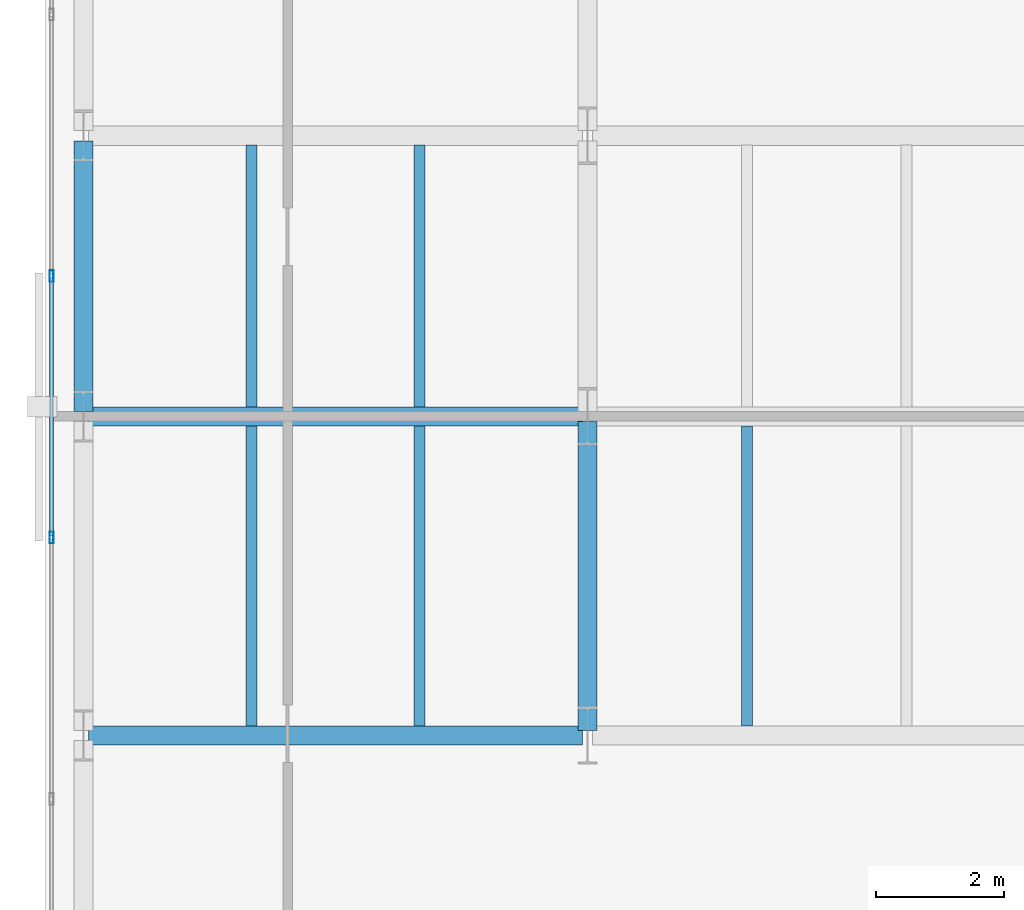
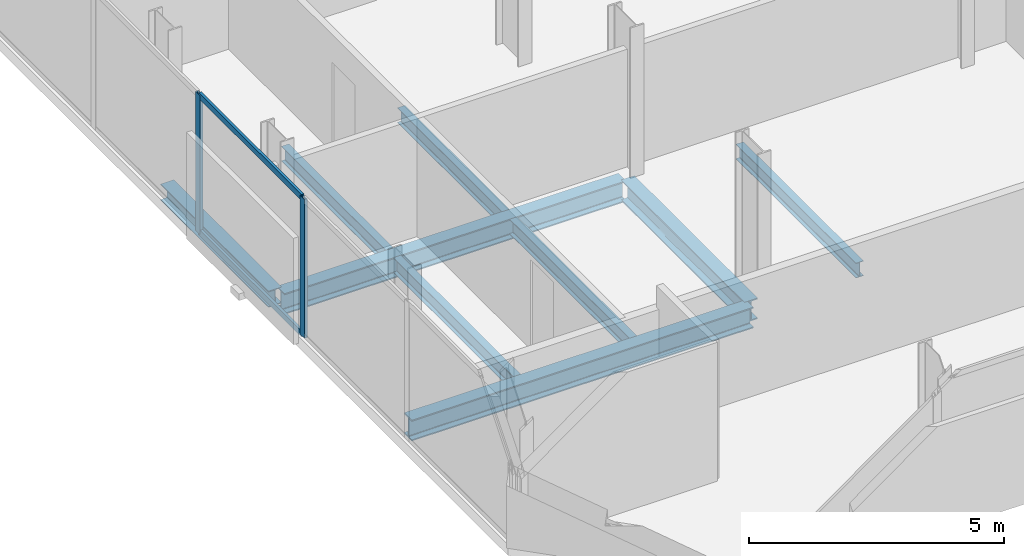
# One storey, part 5 of 33: 9 beams, 4 members, 1 element without a shape of its own.
"""IFC4 building model written with IfcOpenShell, lengths in metres."""

from ifc_helpers import new_model, si_unit, direction, frame, origin, origin_2d, place, context, subcontext, project, spatial, hollow_rectangle, i_section, extrude, material, layer, layer_set, material_profile, profile_set, type_object, element, aggregate, save


model = new_model("IFC4")

# Units and contexts
model_context = context("Model", 3, precision=1e-05, world=origin(), true_north=direction((0.0, 1.0)))
body_context = subcontext(model_context, "Body", "Model", "MODEL_VIEW")
ifc_project = project(units=[si_unit("LENGTHUNIT", "METRE"), si_unit("AREAUNIT", "SQUARE_METRE"), si_unit("VOLUMEUNIT", "CUBIC_METRE"), si_unit("PLANEANGLEUNIT", "RADIAN"), si_unit("MASSUNIT", "GRAM", prefix="KILO")], contexts=[model_context])

# Site, building, storey
site_placement = place(None, origin())
site = spatial("IfcSite", under=ifc_project, at=site_placement, CompositionType="ELEMENT")
building_placement = place(site_placement, origin())
building = spatial("IfcBuilding", under=site, at=building_placement, Name="Catumbela Crestline Tower", CompositionType="ELEMENT")
storey_placement = place(building_placement, frame((0.0, 0.0, 47.4)))
storey = spatial("IfcBuildingStorey", under=building, at=storey_placement, Name="L11", CompositionType="ELEMENT", Elevation=47.4)

# Beams
ifc_material_1 = material(Name="Structural steel S355J2", Category="steel")
ifc_material_profile_1 = material_profile(ifc_material_1, i_section(OverallWidth=0.3, OverallDepth=0.5, WebThickness=0.0145, FlangeThickness=0.028, FilletRadius=0.027, at=origin_2d()), Name="HEB 500")
ifc_profile_set_1 = profile_set([ifc_material_profile_1], Name="Structural steel S355J2")
beam_type_1 = type_object("IfcBeamType", Name="BG-HEB500", PredefinedType="BEAM", material=ifc_profile_set_1)
for number, where, z_axis, x_axis, name in (
    (1, (0.68, 8.6, -0.51), (1.0, 0.0, 0.0), (0.0, 1.0, 0.0), "L11 Beam BM-L11-WEW48"),
    (2, (0.68, 13.6, -0.51), (1.0, 0.0, 0.0), (0.0, 1.0, 0.0), "L11 Beam BM-L11-WEW51"),
):
    element("IfcBeam", number, at=place(storey_placement, frame(where, z_axis=z_axis, x_axis=x_axis)), inside=storey, type_object=beam_type_1, Name=name, PredefinedType="BEAM", context=body_context, shape_type="SweptSolid", body=[
        extrude(i_section(OverallWidth=0.3, OverallDepth=0.5, WebThickness=0.0145, FlangeThickness=0.028, FilletRadius=0.027, at=origin_2d()), origin(), (0.0, 0.0, 1.0), 7.74),
    ])
beam_1_placement = place(storey_placement, frame((8.5, 8.68, -0.51), z_axis=(0.0, 1.0, 0.0), x_axis=(-1.0, 0.0, 0.0)))
element("IfcBeam", 3, at=beam_1_placement, inside=storey, type_object=beam_type_1, Name="L11 Beam BM-L11-WNS61", PredefinedType="BEAM", context=body_context, shape_type="SweptSolid", body=[
    extrude(i_section(OverallWidth=0.3, OverallDepth=0.5, WebThickness=0.0145, FlangeThickness=0.028, FilletRadius=0.027, at=origin_2d()), origin(), (0.0, 0.0, 1.0), 4.84),
])
ifc_material_profile_2 = material_profile(ifc_material_1, i_section(OverallWidth=0.17, OverallDepth=0.36, WebThickness=0.008, FlangeThickness=0.0127, FilletRadius=0.018, at=origin_2d()), Name="IPE 360")
ifc_profile_set_2 = profile_set([ifc_material_profile_2], Name="Structural steel S355J2")
beam_type_2 = type_object("IfcBeamType", Name="BJ-IPE360", PredefinedType="JOIST", material=ifc_profile_set_2)
for number, where, z_axis, x_axis, name in (
    (4, (3.233, 8.747, -0.44), (0.0, 1.0, 0.0), (-1.0, 0.0, 0.0), "L11 Joist JS-L11-WG70"),
    (5, (5.867, 8.747, -0.44), (0.0, 1.0, 0.0), (-1.0, 0.0, 0.0), "L11 Joist JS-L11-WG71"),
    (6, (11.0, 8.747, -0.44), (0.0, 1.0, 0.0), (-1.0, 0.0, 0.0), "L11 Joist JS-L11-WG72"),
):
    element("IfcBeam", number, at=place(storey_placement, frame(where, z_axis=z_axis, x_axis=x_axis)), inside=storey, type_object=beam_type_2, Name=name, PredefinedType="JOIST", context=body_context, shape_type="SweptSolid", body=[
        extrude(i_section(OverallWidth=0.17, OverallDepth=0.36, WebThickness=0.008, FlangeThickness=0.0127, FilletRadius=0.018, at=origin_2d()), origin(), (0.0, 0.0, 1.0), 4.706),
    ])
for number, where, z_axis, x_axis, name in (
    (7, (3.233, 13.747, -0.44), (0.0, 1.0, 0.0), (-1.0, 0.0, 0.0), "L11 Joist JS-L11-WG76"),
    (8, (5.867, 13.747, -0.44), (0.0, 1.0, 0.0), (-1.0, 0.0, 0.0), "L11 Joist JS-L11-WG77"),
):
    element("IfcBeam", number, at=place(storey_placement, frame(where, z_axis=z_axis, x_axis=x_axis)), inside=storey, type_object=beam_type_2, Name=name, PredefinedType="JOIST", context=body_context, shape_type="SweptSolid", body=[
        extrude(i_section(OverallWidth=0.17, OverallDepth=0.36, WebThickness=0.008, FlangeThickness=0.0127, FilletRadius=0.018, at=origin_2d()), origin(), (0.0, 0.0, 1.0), 4.106),
    ])

# Curtain wall, members
ifc_material_2 = material(Name="Aluminium alloy AW-6060-T66", Category="aluminium")
ifc_layer = layer(ifc_material_2, 0.18, Name="Aluminium alloy AW-6060-T66")
ifc_layer_set = layer_set([ifc_layer], Name="Aluminium alloy AW-6060-T66")
curtain_wall_type = type_object("IfcCurtainWallType", Name="CWU-Z1", PredefinedType="USERDEFINED", material=ifc_layer_set)
curtain_wall_placement = place(storey_placement, origin())
curtain_wall = element("IfcCurtainWall", 9, at=curtain_wall_placement, inside=storey, type_object=curtain_wall_type, Name="L11 Unitised Curtain Wall CW-L11-E9S1", ObjectType="UNITISED", PredefinedType="USERDEFINED")
ifc_material_profile_3 = material_profile(ifc_material_2, hollow_rectangle(XDim=0.065, YDim=0.18, WallThickness=0.004, at=origin_2d()), Name="ALU 180x65x4")
ifc_profile_set_3 = profile_set([ifc_material_profile_3], Name="Aluminium alloy AW-6060-T66")
member_type_1 = type_object("IfcMemberType", Name="MUL-180X65", PredefinedType="MULLION", material=ifc_profile_set_3)
member_1_placement = place(storey_placement, frame((0.1, 15.8, 0.0), z_axis=(0.0, 0.0, 1.0), x_axis=(1.0, 0.0, 0.0)))
member_1 = element("IfcMember", 10, at=member_1_placement, type_object=member_type_1, Name="CWU-Z1 mullion 8", PredefinedType="MULLION", context=body_context, shape_type="SweptSolid", body=[
    extrude(hollow_rectangle(XDim=0.065, YDim=0.18, WallThickness=0.004, at=origin_2d()), origin(), (0.0, 0.0, 1.0), 3.33),
])
member_2_placement = place(storey_placement, frame((0.1, 11.7, 0.0), z_axis=(0.0, 0.0, 1.0), x_axis=(1.0, 0.0, 0.0)))
member_2 = element("IfcMember", 11, at=member_2_placement, type_object=member_type_1, Name="CWU-Z1 mullion 9", PredefinedType="MULLION", context=body_context, shape_type="SweptSolid", body=[
    extrude(hollow_rectangle(XDim=0.065, YDim=0.18, WallThickness=0.004, at=origin_2d()), origin(), (0.0, 0.0, 1.0), 3.33),
])

# Beam
ifc_material_profile_4 = material_profile(ifc_material_1, i_section(OverallWidth=0.3, OverallDepth=0.39, WebThickness=0.011, FlangeThickness=0.019, FilletRadius=0.027, at=origin_2d()), Name="HEA 400")
ifc_profile_set_4 = profile_set([ifc_material_profile_4], Name="Structural steel S355J2")
beam_type_3 = type_object("IfcBeamType", Name="BS-HEA400", PredefinedType="SPANDREL", material=ifc_profile_set_4)
beam_2_placement = place(storey_placement, frame((0.6, 13.68, -0.455), z_axis=(0.0, 1.0, 0.0), x_axis=(-1.0, 0.0, 0.0)))
element("IfcBeam", 12, at=beam_2_placement, inside=storey, type_object=beam_type_3, Name="L11 Spandrel SP-L11-WNS59", PredefinedType="SPANDREL", context=body_context, shape_type="SweptSolid", body=[
    extrude(i_section(OverallWidth=0.3, OverallDepth=0.39, WebThickness=0.011, FlangeThickness=0.019, FilletRadius=0.027, at=origin_2d()), origin(), (0.0, 0.0, 1.0), 4.24),
])

# Member
ifc_material_profile_5 = material_profile(ifc_material_2, hollow_rectangle(XDim=0.06, YDim=0.14, WallThickness=0.004, at=origin_2d()), Name="ALU 140x60x4")
ifc_profile_set_5 = profile_set([ifc_material_profile_5], Name="Aluminium alloy AW-6060-T66")
member_type_2 = type_object("IfcMemberType", Name="TRN-140X60", PredefinedType="USERDEFINED", material=ifc_profile_set_5)
member_3_placement = place(storey_placement, frame((0.1, 15.7675, 0.03), z_axis=(0.0, -1.0, 0.0), x_axis=(1.0, 0.0, 0.0)))
member_3 = element("IfcMember", 13, at=member_3_placement, type_object=member_type_2, Name="CWU-Z1 transom 8.1", ObjectType="TRANSOM", PredefinedType="USERDEFINED", context=body_context, shape_type="SweptSolid", body=[
    extrude(hollow_rectangle(XDim=0.06, YDim=0.14, WallThickness=0.004, at=origin_2d()), origin(), (0.0, 0.0, 1.0), 4.035),
])

member_4_placement = place(storey_placement, frame((0.1, 15.7675, 3.3), z_axis=(0.0, -1.0, 0.0), x_axis=(1.0, 0.0, 0.0)))
member_4 = element("IfcMember", 14, at=member_4_placement, type_object=member_type_2, Name="CWU-Z1 transom 8.2", ObjectType="TRANSOM", PredefinedType="USERDEFINED", context=body_context, shape_type="SweptSolid", body=[
    extrude(hollow_rectangle(XDim=0.06, YDim=0.14, WallThickness=0.004, at=origin_2d()), origin(), (0.0, 0.0, 1.0), 4.035),
])

aggregate(curtain_wall, [member_1, member_2, member_3, member_4])

save(model, "model.ifc")
